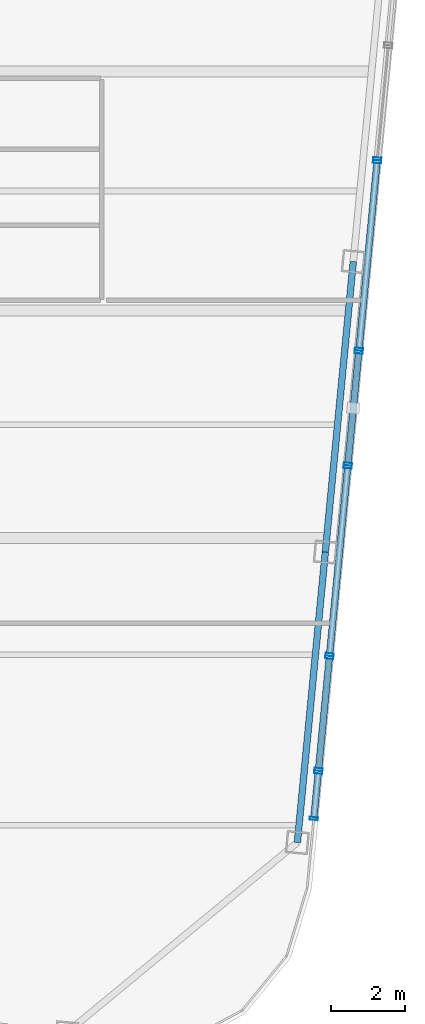
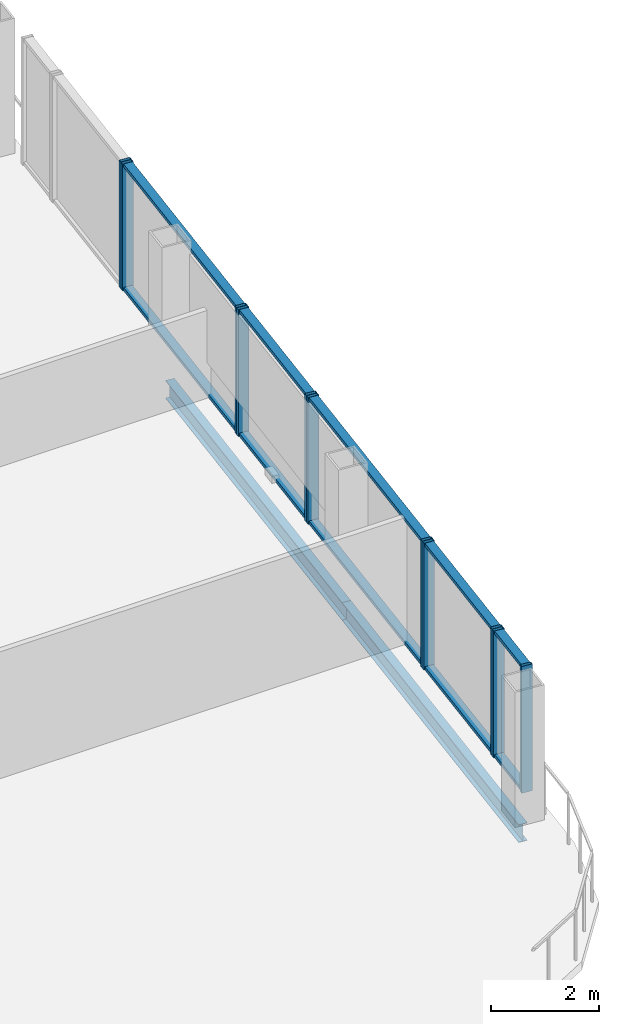
# One storey, part 11 of 23: 21 members, 2 beams, 6 elements without a shape of their own.
"""IFC4 building model written with IfcOpenShell, lengths in metres."""

from ifc_helpers import new_model, si_unit, direction, frame, origin, origin_2d, place, context, subcontext, project, spatial, hollow_rectangle, i_section, extrude, material, layer, layer_set, material_profile, profile_set, type_object, element, aggregate, save


model = new_model("IFC4")

# Units and contexts
model_context = context("Model", 3, precision=1e-05, world=origin(), true_north=direction((0.0, 1.0)))
body_context = subcontext(model_context, "Body", "Model", "MODEL_VIEW")
ifc_project = project(units=[si_unit("LENGTHUNIT", "METRE"), si_unit("AREAUNIT", "SQUARE_METRE"), si_unit("VOLUMEUNIT", "CUBIC_METRE"), si_unit("PLANEANGLEUNIT", "RADIAN"), si_unit("MASSUNIT", "GRAM", prefix="KILO")], contexts=[model_context])

# Site, building, storey
site_placement = place(None, origin())
site = spatial("IfcSite", under=ifc_project, at=site_placement, CompositionType="ELEMENT")
building_placement = place(site_placement, origin())
building = spatial("IfcBuilding", under=site, at=building_placement, Name="Qhalaya Broadcast Tower", CompositionType="ELEMENT")
storey_placement = place(building_placement, frame((0.0, 0.0, 261.14990234375)))
storey = spatial("IfcBuildingStorey", under=building, at=storey_placement, Name="L77", CompositionType="ELEMENT", Elevation=261.14990234375)

# Curtain wall, members
ifc_material_1 = material(Name="Fired Architectural Terracotta", Category="masonry")
ifc_layer_1 = layer(ifc_material_1, 0.219970703125, Name="Fired Architectural Terracotta")
ifc_layer_set_1 = layer_set([ifc_layer_1], Name="Fired Architectural Terracotta")
curtain_wall_type_1 = type_object("IfcCurtainWallType", Name="Block-Cap Unitised Terracotta Spandrel Wall CW-07", PredefinedType="NOTDEFINED", material=ifc_layer_set_1)
curtain_wall_1_placement = place(storey_placement, origin())
curtain_wall_1 = element("IfcCurtainWall", 1, at=curtain_wall_1_placement, inside=storey, type_object=curtain_wall_type_1, Name="L77 Unitised Curtain Wall L77-CW-E1", PredefinedType="NOTDEFINED")
ifc_material_2 = material(Name="Anodised Aluminium 6063-T6", Category="aluminium")
ifc_material_profile_1 = material_profile(ifc_material_2, hollow_rectangle(XDim=0.074951171875, YDim=0.219970703125, WallThickness=0.00390625, at=origin_2d()), Name="ALU-MUL 75x220x4")
ifc_profile_set_1 = profile_set([ifc_material_profile_1], Name="Anodised Aluminium 6063-T6")
member_type_1 = type_object("IfcMemberType", Name="Unitised Curtain-Wall Mullion M01", PredefinedType="MULLION", material=ifc_profile_set_1)
member_1_placement = place(storey_placement, frame((20.272705078125, -16.315185546875, 0.0), z_axis=(0.0, 0.0, 1.0), x_axis=(0.095857322215, 0.995395084264, 0.0)))
member_1 = element("IfcMember", 2, at=member_1_placement, type_object=member_type_1, Name="CW-07 mullion 1", PredefinedType="MULLION", context=body_context, shape_type="SweptSolid", body=[
    extrude(hollow_rectangle(XDim=0.074951171875, YDim=0.219970703125, WallThickness=0.00390625, at=origin_2d()), origin(), (0.0, 0.0, 1.0), 2.860107421875),
])
member_2_placement = place(storey_placement, frame((20.392822265625, -15.06787109375, 0.0), z_axis=(0.0, 0.0, 1.0), x_axis=(0.095857322215, 0.995395084264, 0.0)))
member_2 = element("IfcMember", 3, at=member_2_placement, type_object=member_type_1, Name="CW-07 mullion 2", PredefinedType="MULLION", context=body_context, shape_type="SweptSolid", body=[
    extrude(hollow_rectangle(XDim=0.074951171875, YDim=0.219970703125, WallThickness=0.00390625, at=origin_2d()), origin(), (0.0, 0.0, 1.0), 2.860107421875),
])

ifc_material_3 = material(Name="Solar-Control Low-E Triple Glazing", Category="glass")
ifc_layer_2 = layer(ifc_material_3, 0.219970703125, Name="Solar-Control Low-E Triple Glazing")
ifc_layer_set_2 = layer_set([ifc_layer_2], Name="Solar-Control Low-E Triple Glazing")
curtain_wall_type_2 = type_object("IfcCurtainWallType", Name="High-Altitude Upper-Shaft Triple Low-E Curtain Wall CW-04", PredefinedType="NOTDEFINED", material=ifc_layer_set_2)
curtain_wall_2_placement = place(storey_placement, origin())
curtain_wall_2 = element("IfcCurtainWall", 4, at=curtain_wall_2_placement, inside=storey, type_object=curtain_wall_type_2, Name="L77 Unitised Curtain Wall L77-CW-E2", PredefinedType="NOTDEFINED")
member_3_placement = place(storey_placement, frame((20.39990234375, -14.9931640625, 0.0), z_axis=(0.0, 0.0, 1.0), x_axis=(0.095851485016, 0.995395646374, 0.0)))
member_3 = element("IfcMember", 5, at=member_3_placement, type_object=member_type_1, Name="CW-04 mullion 1", PredefinedType="MULLION", context=body_context, shape_type="SweptSolid", body=[
    extrude(hollow_rectangle(XDim=0.074951171875, YDim=0.219970703125, WallThickness=0.00390625, at=origin_2d()), origin(), (0.0, 0.0, 1.0), 2.860107421875),
])
member_4_placement = place(storey_placement, frame((20.69091796875, -11.97216796875, 0.0), z_axis=(0.0, 0.0, 1.0), x_axis=(0.095851485016, 0.995395646374, 0.0)))
member_4 = element("IfcMember", 6, at=member_4_placement, type_object=member_type_1, Name="CW-04 mullion 2", PredefinedType="MULLION", context=body_context, shape_type="SweptSolid", body=[
    extrude(hollow_rectangle(XDim=0.074951171875, YDim=0.219970703125, WallThickness=0.00390625, at=origin_2d()), origin(), (0.0, 0.0, 1.0), 2.860107421875),
])

curtain_wall_3_placement = place(storey_placement, origin())
curtain_wall_3 = element("IfcCurtainWall", 7, at=curtain_wall_3_placement, inside=storey, type_object=curtain_wall_type_1, Name="L77 Unitised Curtain Wall L77-CW-E3", PredefinedType="NOTDEFINED")
member_5_placement = place(storey_placement, frame((20.697998046875, -11.8974609375, 0.0), z_axis=(0.0, 0.0, 1.0), x_axis=(0.095851335452, 0.995395660776, 0.0)))
member_5 = element("IfcMember", 8, at=member_5_placement, type_object=member_type_1, Name="CW-07 mullion 1", PredefinedType="MULLION", context=body_context, shape_type="SweptSolid", body=[
    extrude(hollow_rectangle(XDim=0.074951171875, YDim=0.219970703125, WallThickness=0.00390625, at=origin_2d()), origin(), (0.0, 0.0, 1.0), 2.860107421875),
])
member_6_placement = place(storey_placement, frame((21.18505859375, -6.8388671875, 0.0), z_axis=(0.0, 0.0, 1.0), x_axis=(0.095851335452, 0.995395660776, 0.0)))
member_6 = element("IfcMember", 9, at=member_6_placement, type_object=member_type_1, Name="CW-07 mullion 2", PredefinedType="MULLION", context=body_context, shape_type="SweptSolid", body=[
    extrude(hollow_rectangle(XDim=0.074951171875, YDim=0.219970703125, WallThickness=0.00390625, at=origin_2d()), origin(), (0.0, 0.0, 1.0), 2.860107421875),
])

curtain_wall_4_placement = place(storey_placement, origin())
curtain_wall_4 = element("IfcCurtainWall", 10, at=curtain_wall_4_placement, inside=storey, type_object=curtain_wall_type_2, Name="L77 Unitised Curtain Wall L77-CW-E4", PredefinedType="NOTDEFINED")
member_7_placement = place(storey_placement, frame((21.1923828125, -6.76416015625, 0.0), z_axis=(0.0, 0.0, 1.0), x_axis=(0.095819626155, 0.995398713704, 0.0)))
member_7 = element("IfcMember", 11, at=member_7_placement, type_object=member_type_1, Name="CW-04 mullion 1", PredefinedType="MULLION", context=body_context, shape_type="SweptSolid", body=[
    extrude(hollow_rectangle(XDim=0.074951171875, YDim=0.219970703125, WallThickness=0.00390625, at=origin_2d()), origin(), (0.0, 0.0, 1.0), 2.860107421875),
])
member_8_placement = place(storey_placement, frame((21.483154296875, -3.7431640625, 0.0), z_axis=(0.0, 0.0, 1.0), x_axis=(0.095819626155, 0.995398713704, 0.0)))
member_8 = element("IfcMember", 12, at=member_8_placement, type_object=member_type_1, Name="CW-04 mullion 2", PredefinedType="MULLION", context=body_context, shape_type="SweptSolid", body=[
    extrude(hollow_rectangle(XDim=0.074951171875, YDim=0.219970703125, WallThickness=0.00390625, at=origin_2d()), origin(), (0.0, 0.0, 1.0), 2.860107421875),
])

curtain_wall_5_placement = place(storey_placement, origin())
curtain_wall_5 = element("IfcCurtainWall", 13, at=curtain_wall_5_placement, inside=storey, type_object=curtain_wall_type_1, Name="L77 Unitised Curtain Wall L77-CW-E5", PredefinedType="NOTDEFINED")
member_9_placement = place(storey_placement, frame((21.490234375, -3.66845703125, 0.0), z_axis=(0.0, 0.0, 1.0), x_axis=(0.095849485357, 0.995395838929, 0.0)))
member_9 = element("IfcMember", 14, at=member_9_placement, type_object=member_type_1, Name="CW-07 mullion 1", PredefinedType="MULLION", context=body_context, shape_type="SweptSolid", body=[
    extrude(hollow_rectangle(XDim=0.074951171875, YDim=0.219970703125, WallThickness=0.00390625, at=origin_2d()), origin(), (0.0, 0.0, 1.0), 2.860107421875),
])
member_10_placement = place(storey_placement, frame((21.977294921875, 1.39013671875, 0.0), z_axis=(0.0, 0.0, 1.0), x_axis=(0.095849485357, 0.995395838929, 0.0)))
member_10 = element("IfcMember", 15, at=member_10_placement, type_object=member_type_1, Name="CW-07 mullion 2", PredefinedType="MULLION", context=body_context, shape_type="SweptSolid", body=[
    extrude(hollow_rectangle(XDim=0.074951171875, YDim=0.219970703125, WallThickness=0.00390625, at=origin_2d()), origin(), (0.0, 0.0, 1.0), 2.860107421875),
])

# Curtain wall, member
curtain_wall_6_placement = place(storey_placement, origin())
curtain_wall_6 = element("IfcCurtainWall", 16, at=curtain_wall_6_placement, inside=storey, type_object=curtain_wall_type_2, Name="L77 Unitised Curtain Wall L77-CW-E6", PredefinedType="NOTDEFINED")
member_11_placement = place(storey_placement, frame((21.984619140625, 1.46484375, 0.0), z_axis=(0.0, 0.0, 1.0), x_axis=(0.095854552953, 0.995395350943, 0.0)))
member_11 = element("IfcMember", 17, at=member_11_placement, type_object=member_type_1, Name="CW-04 mullion 1", PredefinedType="MULLION", context=body_context, shape_type="SweptSolid", body=[
    extrude(hollow_rectangle(XDim=0.074951171875, YDim=0.219970703125, WallThickness=0.00390625, at=origin_2d()), origin(), (0.0, 0.0, 1.0), 2.860107421875),
])
aggregate(curtain_wall_6, [member_11])

# Member
ifc_material_profile_2 = material_profile(ifc_material_2, hollow_rectangle(XDim=0.074951171875, YDim=0.179931640625, WallThickness=0.00390625, at=origin_2d()), Name="ALU-TRN 75x180x4")
ifc_profile_set_2 = profile_set([ifc_material_profile_2], Name="Anodised Aluminium 6063-T6")
member_type_2 = type_object("IfcMemberType", Name="Unitised Curtain-Wall Transom T01", PredefinedType="USERDEFINED", material=ifc_profile_set_2)
member_12_placement = place(storey_placement, frame((20.276123046875, -16.27783203125, 0.03759765625), z_axis=(0.095953288152, 0.995385838001, 0.0), x_axis=(0.0, 0.0, 1.0)))
member_12 = element("IfcMember", 18, at=member_12_placement, type_object=member_type_2, Name="CW-07 transom 1.1", ObjectType="TRANSOM", PredefinedType="USERDEFINED", context=body_context, shape_type="SweptSolid", body=[
    extrude(hollow_rectangle(XDim=0.074951171875, YDim=0.179931640625, WallThickness=0.00390625, at=origin_2d()), origin(), (0.0, 0.0, 1.0), 1.177978515625),
])

member_13_placement = place(storey_placement, frame((20.276123046875, -16.27783203125, 2.822509765625), z_axis=(0.095953288152, 0.995385838001, 0.0), x_axis=(0.0, 0.0, 1.0)))
member_13 = element("IfcMember", 19, at=member_13_placement, type_object=member_type_2, Name="CW-07 transom 1.2", ObjectType="TRANSOM", PredefinedType="USERDEFINED", context=body_context, shape_type="SweptSolid", body=[
    extrude(hollow_rectangle(XDim=0.074951171875, YDim=0.179931640625, WallThickness=0.00390625, at=origin_2d()), origin(), (0.0, 0.0, 1.0), 1.177978515625),
])

aggregate(curtain_wall_1, [member_1, member_2, member_12, member_13])

member_14_placement = place(storey_placement, frame((20.403564453125, -14.955810546875, 0.03759765625), z_axis=(0.095844425832, 0.995396326112, 0.0), x_axis=(0.0, 0.0, 1.0)))
member_14 = element("IfcMember", 20, at=member_14_placement, type_object=member_type_2, Name="CW-04 transom 1.1", ObjectType="TRANSOM", PredefinedType="USERDEFINED", context=body_context, shape_type="SweptSolid", body=[
    extrude(hollow_rectangle(XDim=0.074951171875, YDim=0.179931640625, WallThickness=0.00390625, at=origin_2d()), origin(), (0.0, 0.0, 1.0), 2.9599609375),
])

member_15_placement = place(storey_placement, frame((20.403564453125, -14.955810546875, 2.822509765625), z_axis=(0.095844425832, 0.995396326112, 0.0), x_axis=(0.0, 0.0, 1.0)))
member_15 = element("IfcMember", 21, at=member_15_placement, type_object=member_type_2, Name="CW-04 transom 1.2", ObjectType="TRANSOM", PredefinedType="USERDEFINED", context=body_context, shape_type="SweptSolid", body=[
    extrude(hollow_rectangle(XDim=0.074951171875, YDim=0.179931640625, WallThickness=0.00390625, at=origin_2d()), origin(), (0.0, 0.0, 1.0), 2.9599609375),
])

aggregate(curtain_wall_2, [member_3, member_4, member_14, member_15])

member_16_placement = place(storey_placement, frame((20.70166015625, -11.860107421875, 0.03759765625), z_axis=(0.095814608675, 0.995399196687, 0.0), x_axis=(0.0, 0.0, 1.0)))
member_16 = element("IfcMember", 22, at=member_16_placement, type_object=member_type_2, Name="CW-07 transom 1.1", ObjectType="TRANSOM", PredefinedType="USERDEFINED", context=body_context, shape_type="SweptSolid", body=[
    extrude(hollow_rectangle(XDim=0.074951171875, YDim=0.179931640625, WallThickness=0.00390625, at=origin_2d()), origin(), (0.0, 0.0, 1.0), 5.0068359375),
])

member_17_placement = place(storey_placement, frame((20.70166015625, -11.860107421875, 2.822509765625), z_axis=(0.095814608675, 0.995399196687, 0.0), x_axis=(0.0, 0.0, 1.0)))
member_17 = element("IfcMember", 23, at=member_17_placement, type_object=member_type_2, Name="CW-07 transom 1.2", ObjectType="TRANSOM", PredefinedType="USERDEFINED", context=body_context, shape_type="SweptSolid", body=[
    extrude(hollow_rectangle(XDim=0.074951171875, YDim=0.179931640625, WallThickness=0.00390625, at=origin_2d()), origin(), (0.0, 0.0, 1.0), 5.0068359375),
])

aggregate(curtain_wall_3, [member_5, member_6, member_16, member_17])

member_18_placement = place(storey_placement, frame((21.19580078125, -6.72705078125, 0.03759765625), z_axis=(0.095836557401, 0.995397083714, 0.0), x_axis=(0.0, 0.0, 1.0)))
member_18 = element("IfcMember", 24, at=member_18_placement, type_object=member_type_2, Name="CW-04 transom 1.1", ObjectType="TRANSOM", PredefinedType="USERDEFINED", context=body_context, shape_type="SweptSolid", body=[
    extrude(hollow_rectangle(XDim=0.074951171875, YDim=0.179931640625, WallThickness=0.00390625, at=origin_2d()), origin(), (0.0, 0.0, 1.0), 2.960205078125),
])

member_19_placement = place(storey_placement, frame((21.19580078125, -6.72705078125, 2.822509765625), z_axis=(0.095836557401, 0.995397083714, 0.0), x_axis=(0.0, 0.0, 1.0)))
member_19 = element("IfcMember", 25, at=member_19_placement, type_object=member_type_2, Name="CW-04 transom 1.2", ObjectType="TRANSOM", PredefinedType="USERDEFINED", context=body_context, shape_type="SweptSolid", body=[
    extrude(hollow_rectangle(XDim=0.074951171875, YDim=0.179931640625, WallThickness=0.00390625, at=origin_2d()), origin(), (0.0, 0.0, 1.0), 2.960205078125),
])

aggregate(curtain_wall_4, [member_7, member_8, member_18, member_19])

member_20_placement = place(storey_placement, frame((21.493896484375, -3.63134765625, 0.03759765625), z_axis=(0.095858268746, 0.995394993112, 0.0), x_axis=(0.0, 0.0, 1.0)))
member_20 = element("IfcMember", 26, at=member_20_placement, type_object=member_type_2, Name="CW-07 transom 1.1", ObjectType="TRANSOM", PredefinedType="USERDEFINED", context=body_context, shape_type="SweptSolid", body=[
    extrude(hollow_rectangle(XDim=0.074951171875, YDim=0.179931640625, WallThickness=0.00390625, at=origin_2d()), origin(), (0.0, 0.0, 1.0), 5.007080078125),
])

member_21_placement = place(storey_placement, frame((21.493896484375, -3.63134765625, 2.822509765625), z_axis=(0.095858268746, 0.995394993112, 0.0), x_axis=(0.0, 0.0, 1.0)))
member_21 = element("IfcMember", 27, at=member_21_placement, type_object=member_type_2, Name="CW-07 transom 1.2", ObjectType="TRANSOM", PredefinedType="USERDEFINED", context=body_context, shape_type="SweptSolid", body=[
    extrude(hollow_rectangle(XDim=0.074951171875, YDim=0.179931640625, WallThickness=0.00390625, at=origin_2d()), origin(), (0.0, 0.0, 1.0), 5.007080078125),
])

aggregate(curtain_wall_5, [member_9, member_10, member_20, member_21])

# Beams
ifc_material_4 = material(Name="Structural Steel ASTM A992 Grade 50", Category="steel")
ifc_material_profile_3 = material_profile(ifc_material_4, i_section(OverallWidth=0.177978515625, OverallDepth=0.406005859375, WebThickness=0.0078125, FlangeThickness=0.0126953125, at=origin_2d()), Name="W16X40")
ifc_profile_set_3 = profile_set([ifc_material_profile_3], Name="Structural Steel ASTM A992 Grade 50")
beam_type = type_object("IfcBeamType", Name="Upper Perimeter Spandrel Beam SP2", PredefinedType="SPANDREL", material=ifc_profile_set_3)
beam_1_placement = place(storey_placement, frame((19.82861328125, -16.962890625, -0.392822265625), z_axis=(0.095837184179, 0.995397023367, 0.0), x_axis=(-0.995397023367, 0.095837184179, 0.0)))
element("IfcBeam", 28, at=beam_1_placement, inside=storey, type_object=beam_type, Name="L77 SP2 L77-SPR-05", PredefinedType="SPANDREL", context=body_context, shape_type="SweptSolid", body=[
    extrude(i_section(OverallWidth=0.177978515625, OverallDepth=0.406005859375, WebThickness=0.0078125, FlangeThickness=0.0126953125, at=origin_2d()), origin(), (0.0, 0.0, 1.0), 7.866455078125),
])
beam_2_placement = place(storey_placement, frame((20.58251953125, -9.132568359375, -0.392822265625), z_axis=(0.095834223619, 0.995397308407, 0.0), x_axis=(-0.995397308407, 0.095834223619, 0.0)))
element("IfcBeam", 29, at=beam_2_placement, inside=storey, type_object=beam_type, Name="L77 SP2 L77-SPR-06", PredefinedType="SPANDREL", context=body_context, shape_type="SweptSolid", body=[
    extrude(i_section(OverallWidth=0.177978515625, OverallDepth=0.406005859375, WebThickness=0.0078125, FlangeThickness=0.0126953125, at=origin_2d()), origin(), (0.0, 0.0, 1.0), 7.86669921875),
])

save(model, "model.ifc")
